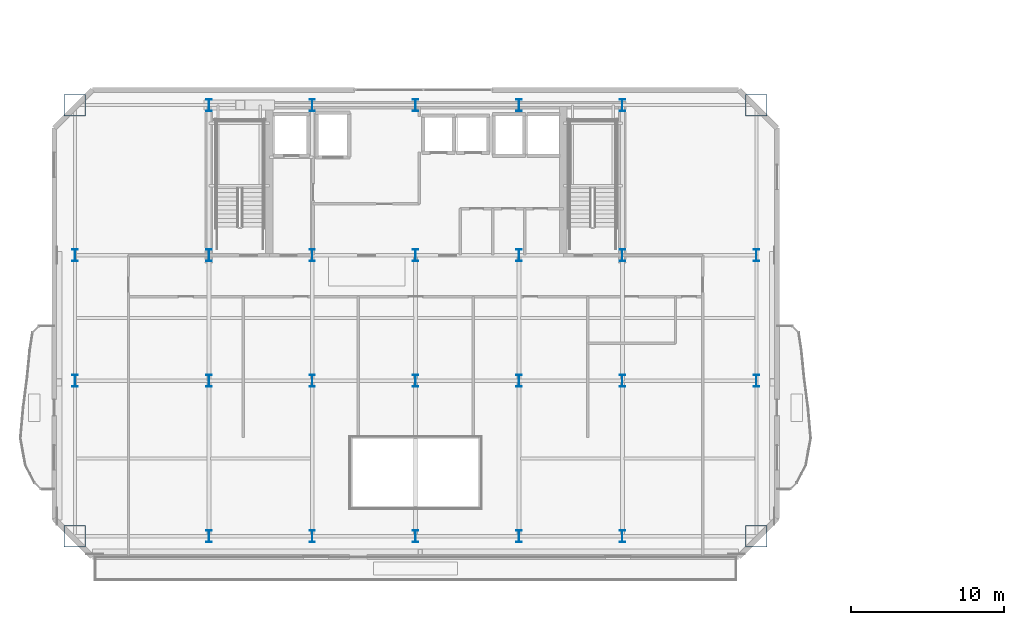
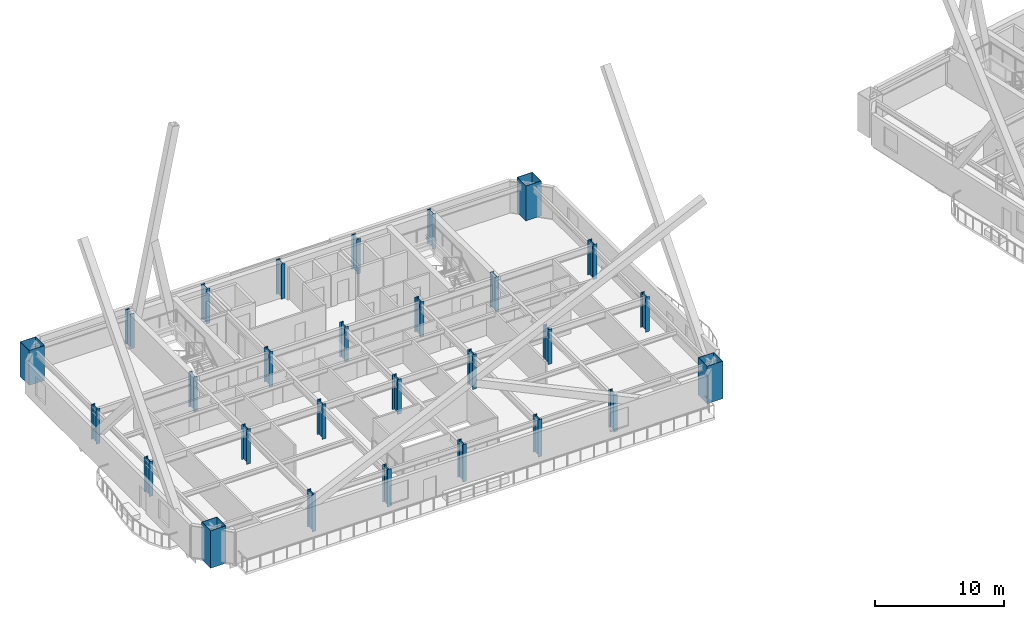
# One storey, part 1 of 22: 28 columns.
"""IFC4 building model written with IfcOpenShell, lengths in metres."""

from ifc_helpers import new_model, si_unit, direction, frame, origin, origin_2d, place, context, subcontext, project, spatial, hollow_rectangle, i_section, extrude, material, material_profile, profile_set, type_object, element, save


model = new_model("IFC4")

# Units and contexts
model_context = context("Model", 3, precision=1e-05, world=origin(), true_north=direction((0.0, 1.0)))
body_context = subcontext(model_context, "Body", "Model", "MODEL_VIEW")
ifc_project = project(units=[si_unit("LENGTHUNIT", "METRE"), si_unit("AREAUNIT", "SQUARE_METRE"), si_unit("VOLUMEUNIT", "CUBIC_METRE"), si_unit("PLANEANGLEUNIT", "RADIAN"), si_unit("MASSUNIT", "GRAM", prefix="KILO")], contexts=[model_context])

# Site, building, storey
site_placement = place(None, origin())
site = spatial("IfcSite", under=ifc_project, at=site_placement, CompositionType="ELEMENT")
building_placement = place(site_placement, origin())
building = spatial("IfcBuilding", under=site, at=building_placement, Name="Haevon Station Towers", CompositionType="ELEMENT")
storey_placement = place(building_placement, frame((0.0, 0.0, 93.300048828125)))
storey = spatial("IfcBuildingStorey", under=building, at=storey_placement, Name="L24", CompositionType="ELEMENT", Elevation=93.300048828125)

# Columns
ifc_material = material(Name="Steel S460", Category="steel")
ifc_material_profile_1 = material_profile(ifc_material, hollow_rectangle(XDim=1.39990234375, YDim=1.39990234375, WallThickness=0.035888671875, at=origin_2d()), Name="BOX-1400x1400x36")
ifc_profile_set_1 = profile_set([ifc_material_profile_1], Name="Steel S460")
column_type_1 = type_object("IfcColumnType", Name="COL-MC3", PredefinedType="COLUMN", material=ifc_profile_set_1)
column_1_placement = place(storey_placement, frame((15.25, 19.85009765625, -0.25), z_axis=(0.0, 0.0, 1.0), x_axis=(1.0, 0.0, 0.0)))
element("IfcColumn", 1, at=column_1_placement, inside=storey, type_object=column_type_1, Name="COL-T1-L24-01-01", PredefinedType="COLUMN", context=body_context, shape_type="SweptSolid", body=[
    extrude(hollow_rectangle(XDim=1.39990234375, YDim=1.39990234375, WallThickness=0.035888671875, at=origin_2d()), origin(), (0.0, 0.0, 1.0), 3.550048828125),
])
column_2_placement = place(storey_placement, frame((15.25, 48.0, 0.0), z_axis=(0.0, 0.0, 1.0), x_axis=(1.0, 0.0, 0.0)))
element("IfcColumn", 2, at=column_2_placement, inside=storey, type_object=column_type_1, Name="COL-T1-L24-01-04", PredefinedType="COLUMN", context=body_context, shape_type="SweptSolid", body=[
    extrude(hollow_rectangle(XDim=1.39990234375, YDim=1.39990234375, WallThickness=0.035888671875, at=origin_2d()), origin(), (0.0, 0.0, 1.0), 3.300048828125),
])
column_3_placement = place(storey_placement, frame((59.75, 19.85009765625, -0.25), z_axis=(0.0, 0.0, 1.0), x_axis=(1.0, 0.0, 0.0)))
element("IfcColumn", 3, at=column_3_placement, inside=storey, type_object=column_type_1, Name="COL-T1-L24-07-01", PredefinedType="COLUMN", context=body_context, shape_type="SweptSolid", body=[
    extrude(hollow_rectangle(XDim=1.39990234375, YDim=1.39990234375, WallThickness=0.035888671875, at=origin_2d()), origin(), (0.0, 0.0, 1.0), 3.550048828125),
])
column_4_placement = place(storey_placement, frame((59.75, 48.0, 0.0), z_axis=(0.0, 0.0, 1.0), x_axis=(1.0, 0.0, 0.0)))
element("IfcColumn", 4, at=column_4_placement, inside=storey, type_object=column_type_1, Name="COL-T1-L24-07-04", PredefinedType="COLUMN", context=body_context, shape_type="SweptSolid", body=[
    extrude(hollow_rectangle(XDim=1.39990234375, YDim=1.39990234375, WallThickness=0.035888671875, at=origin_2d()), origin(), (0.0, 0.0, 1.0), 3.300048828125),
])
ifc_material_profile_2 = material_profile(ifc_material, i_section(OverallWidth=0.35009765625, OverallDepth=0.800048828125, WebThickness=0.01806640625, FlangeThickness=0.031982421875, at=origin_2d()), Name="H-800x350x18x32")
ifc_profile_set_2 = profile_set([ifc_material_profile_2], Name="Steel S460")
column_type_2 = type_object("IfcColumnType", Name="COL-TW2", PredefinedType="COLUMN", material=ifc_profile_set_2)
for number, where, z_axis, x_axis, name in (
    (5, (15.25, 30.0, 0.0), (0.0, 0.0, 1.0), (1.0, 0.0, 0.0), "COL-T1-L24-01-02"),
    (6, (15.25, 38.199951171875, 0.0), (0.0, 0.0, 1.0), (1.0, 0.0, 0.0), "COL-T1-L24-01-03"),
):
    element("IfcColumn", number, at=place(storey_placement, frame(where, z_axis=z_axis, x_axis=x_axis)), inside=storey, type_object=column_type_2, Name=name, PredefinedType="COLUMN", context=body_context, shape_type="SweptSolid", body=[
        extrude(i_section(OverallWidth=0.35009765625, OverallDepth=0.800048828125, WebThickness=0.01806640625, FlangeThickness=0.031982421875, at=origin_2d()), origin(), (0.0, 0.0, 1.0), 3.300048828125),
    ])
column_5_placement = place(storey_placement, frame((24.0, 19.85009765625, -0.25), z_axis=(0.0, 0.0, 1.0), x_axis=(1.0, 0.0, 0.0)))
element("IfcColumn", 7, at=column_5_placement, inside=storey, type_object=column_type_2, Name="COL-T1-L24-02-01", PredefinedType="COLUMN", context=body_context, shape_type="SweptSolid", body=[
    extrude(i_section(OverallWidth=0.35009765625, OverallDepth=0.800048828125, WebThickness=0.01806640625, FlangeThickness=0.031982421875, at=origin_2d()), origin(), (0.0, 0.0, 1.0), 3.550048828125),
])
for number, where, z_axis, x_axis, name in (
    (8, (24.0, 30.0, 0.0), (0.0, 0.0, 1.0), (1.0, 0.0, 0.0), "COL-T1-L24-02-02"),
    (9, (24.0, 38.199951171875, 0.0), (0.0, 0.0, 1.0), (1.0, 0.0, 0.0), "COL-T1-L24-02-03"),
    (10, (24.0, 48.0, 0.0), (0.0, 0.0, 1.0), (1.0, 0.0, 0.0), "COL-T1-L24-02-04"),
):
    element("IfcColumn", number, at=place(storey_placement, frame(where, z_axis=z_axis, x_axis=x_axis)), inside=storey, type_object=column_type_2, Name=name, PredefinedType="COLUMN", context=body_context, shape_type="SweptSolid", body=[
        extrude(i_section(OverallWidth=0.35009765625, OverallDepth=0.800048828125, WebThickness=0.01806640625, FlangeThickness=0.031982421875, at=origin_2d()), origin(), (0.0, 0.0, 1.0), 3.300048828125),
    ])
column_6_placement = place(storey_placement, frame((30.75, 19.85009765625, -0.25), z_axis=(0.0, 0.0, 1.0), x_axis=(1.0, 0.0, 0.0)))
element("IfcColumn", 11, at=column_6_placement, inside=storey, type_object=column_type_2, Name="COL-T1-L24-03-01", PredefinedType="COLUMN", context=body_context, shape_type="SweptSolid", body=[
    extrude(i_section(OverallWidth=0.35009765625, OverallDepth=0.800048828125, WebThickness=0.01806640625, FlangeThickness=0.031982421875, at=origin_2d()), origin(), (0.0, 0.0, 1.0), 3.550048828125),
])
for number, where, z_axis, x_axis, name in (
    (12, (30.75, 30.0, 0.0), (0.0, 0.0, 1.0), (1.0, 0.0, 0.0), "COL-T1-L24-03-02"),
    (13, (30.75, 38.199951171875, 0.0), (0.0, 0.0, 1.0), (1.0, 0.0, 0.0), "COL-T1-L24-03-03"),
    (14, (30.75, 48.0, 0.0), (0.0, 0.0, 1.0), (1.0, 0.0, 0.0), "COL-T1-L24-03-04"),
):
    element("IfcColumn", number, at=place(storey_placement, frame(where, z_axis=z_axis, x_axis=x_axis)), inside=storey, type_object=column_type_2, Name=name, PredefinedType="COLUMN", context=body_context, shape_type="SweptSolid", body=[
        extrude(i_section(OverallWidth=0.35009765625, OverallDepth=0.800048828125, WebThickness=0.01806640625, FlangeThickness=0.031982421875, at=origin_2d()), origin(), (0.0, 0.0, 1.0), 3.300048828125),
    ])
column_7_placement = place(storey_placement, frame((37.5, 19.85009765625, -0.25), z_axis=(0.0, 0.0, 1.0), x_axis=(1.0, 0.0, 0.0)))
element("IfcColumn", 15, at=column_7_placement, inside=storey, type_object=column_type_2, Name="COL-T1-L24-04-01", PredefinedType="COLUMN", context=body_context, shape_type="SweptSolid", body=[
    extrude(i_section(OverallWidth=0.35009765625, OverallDepth=0.800048828125, WebThickness=0.01806640625, FlangeThickness=0.031982421875, at=origin_2d()), origin(), (0.0, 0.0, 1.0), 3.550048828125),
])
for number, where, z_axis, x_axis, name in (
    (16, (37.5, 30.0, 0.0), (0.0, 0.0, 1.0), (1.0, 0.0, 0.0), "COL-T1-L24-04-02"),
    (17, (37.5, 38.199951171875, 0.0), (0.0, 0.0, 1.0), (1.0, 0.0, 0.0), "COL-T1-L24-04-03"),
    (18, (37.5, 48.0, 0.0), (0.0, 0.0, 1.0), (1.0, 0.0, 0.0), "COL-T1-L24-04-04"),
):
    element("IfcColumn", number, at=place(storey_placement, frame(where, z_axis=z_axis, x_axis=x_axis)), inside=storey, type_object=column_type_2, Name=name, PredefinedType="COLUMN", context=body_context, shape_type="SweptSolid", body=[
        extrude(i_section(OverallWidth=0.35009765625, OverallDepth=0.800048828125, WebThickness=0.01806640625, FlangeThickness=0.031982421875, at=origin_2d()), origin(), (0.0, 0.0, 1.0), 3.300048828125),
    ])
column_8_placement = place(storey_placement, frame((44.25, 19.85009765625, -0.25), z_axis=(0.0, 0.0, 1.0), x_axis=(1.0, 0.0, 0.0)))
element("IfcColumn", 19, at=column_8_placement, inside=storey, type_object=column_type_2, Name="COL-T1-L24-05-01", PredefinedType="COLUMN", context=body_context, shape_type="SweptSolid", body=[
    extrude(i_section(OverallWidth=0.35009765625, OverallDepth=0.800048828125, WebThickness=0.01806640625, FlangeThickness=0.031982421875, at=origin_2d()), origin(), (0.0, 0.0, 1.0), 3.550048828125),
])
for number, where, z_axis, x_axis, name in (
    (20, (44.25, 30.0, 0.0), (0.0, 0.0, 1.0), (1.0, 0.0, 0.0), "COL-T1-L24-05-02"),
    (21, (44.25, 38.199951171875, 0.0), (0.0, 0.0, 1.0), (1.0, 0.0, 0.0), "COL-T1-L24-05-03"),
    (22, (44.25, 48.0, 0.0), (0.0, 0.0, 1.0), (1.0, 0.0, 0.0), "COL-T1-L24-05-04"),
):
    element("IfcColumn", number, at=place(storey_placement, frame(where, z_axis=z_axis, x_axis=x_axis)), inside=storey, type_object=column_type_2, Name=name, PredefinedType="COLUMN", context=body_context, shape_type="SweptSolid", body=[
        extrude(i_section(OverallWidth=0.35009765625, OverallDepth=0.800048828125, WebThickness=0.01806640625, FlangeThickness=0.031982421875, at=origin_2d()), origin(), (0.0, 0.0, 1.0), 3.300048828125),
    ])
column_9_placement = place(storey_placement, frame((51.0, 19.85009765625, -0.25), z_axis=(0.0, 0.0, 1.0), x_axis=(1.0, 0.0, 0.0)))
element("IfcColumn", 23, at=column_9_placement, inside=storey, type_object=column_type_2, Name="COL-T1-L24-06-01", PredefinedType="COLUMN", context=body_context, shape_type="SweptSolid", body=[
    extrude(i_section(OverallWidth=0.35009765625, OverallDepth=0.800048828125, WebThickness=0.01806640625, FlangeThickness=0.031982421875, at=origin_2d()), origin(), (0.0, 0.0, 1.0), 3.550048828125),
])
for number, where, z_axis, x_axis, name in (
    (24, (51.0, 30.0, 0.0), (0.0, 0.0, 1.0), (1.0, 0.0, 0.0), "COL-T1-L24-06-02"),
    (25, (51.0, 38.199951171875, 0.0), (0.0, 0.0, 1.0), (1.0, 0.0, 0.0), "COL-T1-L24-06-03"),
    (26, (51.0, 48.0, 0.0), (0.0, 0.0, 1.0), (1.0, 0.0, 0.0), "COL-T1-L24-06-04"),
    (27, (59.75, 30.0, 0.0), (0.0, 0.0, 1.0), (1.0, 0.0, 0.0), "COL-T1-L24-07-02"),
    (28, (59.75, 38.199951171875, 0.0), (0.0, 0.0, 1.0), (1.0, 0.0, 0.0), "COL-T1-L24-07-03"),
):
    element("IfcColumn", number, at=place(storey_placement, frame(where, z_axis=z_axis, x_axis=x_axis)), inside=storey, type_object=column_type_2, Name=name, PredefinedType="COLUMN", context=body_context, shape_type="SweptSolid", body=[
        extrude(i_section(OverallWidth=0.35009765625, OverallDepth=0.800048828125, WebThickness=0.01806640625, FlangeThickness=0.031982421875, at=origin_2d()), origin(), (0.0, 0.0, 1.0), 3.300048828125),
    ])

save(model, "model.ifc")
